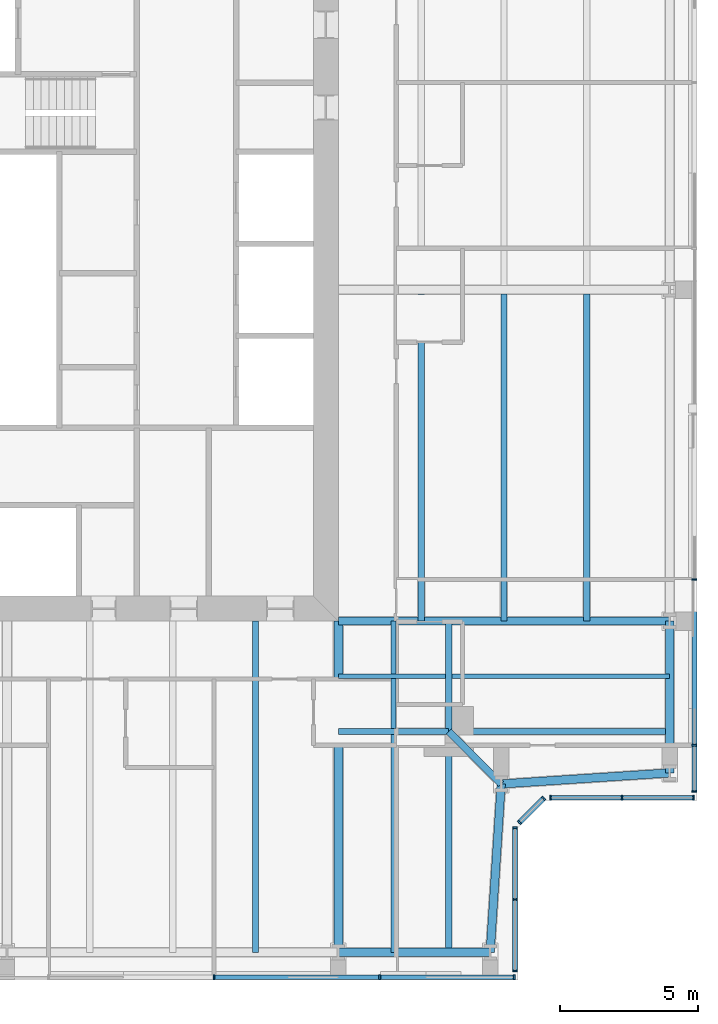
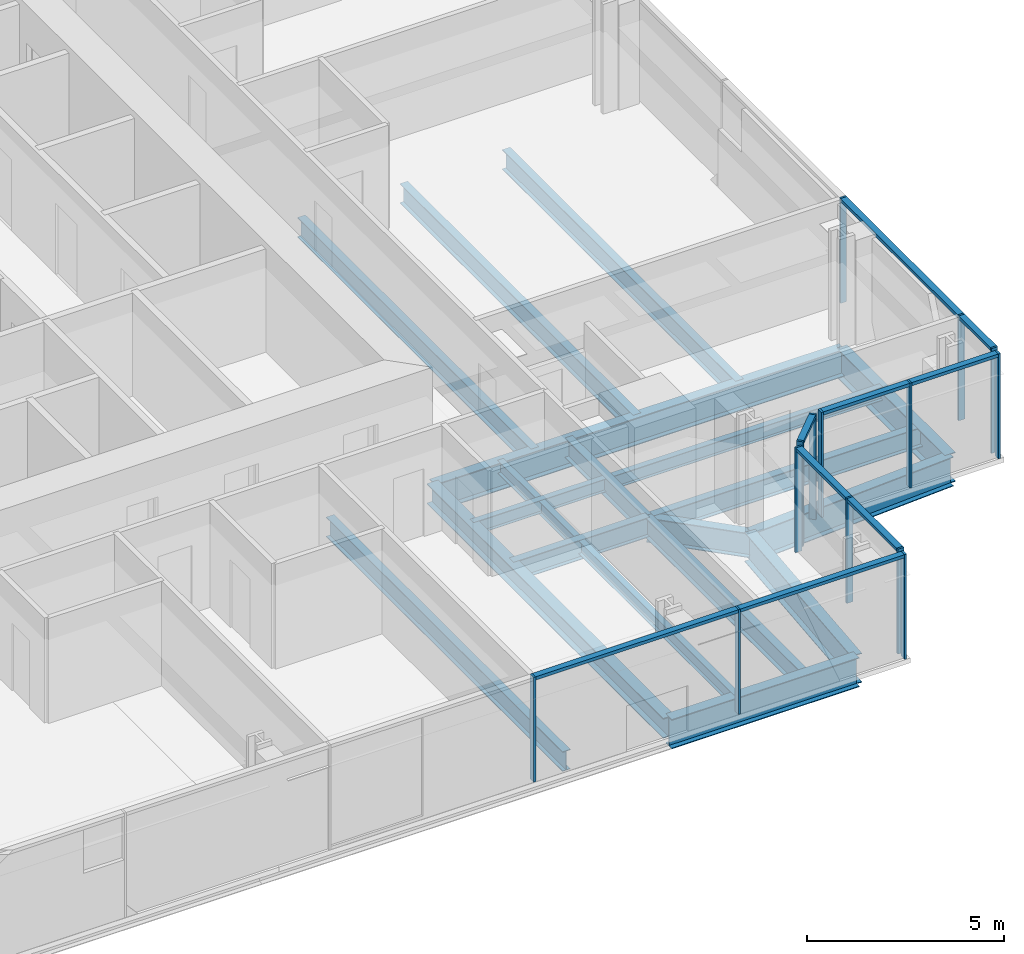
# One storey, part 5 of 18: 23 members, 20 beams, 5 elements without a shape of their own.
"""IFC4 building model written with IfcOpenShell, lengths in metres."""

import ifcopenshell
import ifcopenshell.guid

model = None  # the IFC model being written
_history = None  # IfcOwnerHistory: only IFC2X3 demands one
_inside = {}  # id of a spatial element -> (the spatial element, [elements in it])
_under = {}  # id of a project, library or spatial element -> (it, [spatial elements below it])
_declared = {}  # id of a project -> (the project, [libraries it declares])
_typed = {}  # id of a type object -> (the type object, [elements of that type])
_made_of = {}  # id of a material, layer set ... -> (it, [elements and type objects made of it])


def new_model(schema):
    """Start an empty IFC model of exactly this schema.

    Asked for "IFC4X3", IfcOpenShell would pick the latest addendum, in which some entities
    have other attributes; the version numbers below select the first issue.
    IFC2X3 requires an IfcOwnerHistory on every rooted entity: one is made here for all.
    """
    global model, _history
    if schema == "IFC4X3":
        model = ifcopenshell.file(schema_version=(4, 3, 0, 0))
    else:
        model = ifcopenshell.file(schema=schema)
    _inside.clear()
    _under.clear()
    _declared.clear()
    _typed.clear()
    _made_of.clear()
    _history = None
    if model.schema == "IFC2X3":
        org = make("IfcOrganization", Name="unknown")
        user = make(
            "IfcPersonAndOrganization",
            ThePerson=make("IfcPerson", FamilyName="unknown"),
            TheOrganization=org,
        )
        app = make(
            "IfcApplication",
            ApplicationDeveloper=org,
            Version="unknown",
            ApplicationFullName="unknown",
            ApplicationIdentifier="unknown",
        )
        _history = make(
            "IfcOwnerHistory",
            OwningUser=user,
            OwningApplication=app,
            ChangeAction="ADDED",
            CreationDate=0,
        )
    return model


def make(cls, **values):
    """One entity of the class cls with the attributes given. An attribute that is None is left unset."""
    return model.create_entity(
        cls, **{name: value for name, value in values.items() if value is not None}
    )


def rooted(cls, **values):
    """An entity with a GlobalId (a new one), such as an element, a storey or a relation."""
    return make(cls, GlobalId=ifcopenshell.guid.new(), OwnerHistory=_history, **values)


def si_unit(unit_type, name, prefix=None):
    """IfcSIUnit, for example si_unit("LENGTHUNIT", "METRE", prefix="MILLI")."""
    return make("IfcSIUnit", UnitType=unit_type, Prefix=prefix, Name=name)


def assignment(units):
    """IfcUnitAssignment: the units of a project."""
    return None if units is None else make("IfcUnitAssignment", Units=units)


def point(xyz):
    """IfcCartesianPoint."""
    return None if xyz is None else make("IfcCartesianPoint", Coordinates=xyz)


def direction(xyz):
    """IfcDirection."""
    return None if xyz is None else make("IfcDirection", DirectionRatios=xyz)


def frame(location, z_axis=None, x_axis=None):
    """IfcAxis2Placement3D, a coordinate frame: its origin and axes. An axis left out is left unset."""
    return make(
        "IfcAxis2Placement3D",
        Location=point(location),
        Axis=direction(z_axis),
        RefDirection=direction(x_axis),
    )


def frame_2d(location, x_axis=None):
    """IfcAxis2Placement2D, a coordinate frame in the plane: its origin and x axis."""
    return make(
        "IfcAxis2Placement2D", Location=point(location), RefDirection=direction(x_axis)
    )


def origin():
    """The frame at (0, 0, 0) with its axes left unset."""
    return frame((0.0, 0.0, 0.0))


def origin_2d():
    """The frame at (0, 0) in the plane with its x axis left unset."""
    return frame_2d((0.0, 0.0))


def place(relative_to, where):
    """IfcLocalPlacement: puts the frame where relative to a parent placement (None: the world)."""
    return make(
        "IfcLocalPlacement", PlacementRelTo=relative_to, RelativePlacement=where
    )


def context(
    kind, dimensions, precision=None, world=None, true_north=None, identifier=None
):
    """IfcGeometricRepresentationContext, for example the 3D "Model" context."""
    return make(
        "IfcGeometricRepresentationContext",
        ContextIdentifier=identifier,
        ContextType=kind,
        CoordinateSpaceDimension=dimensions,
        Precision=precision,
        WorldCoordinateSystem=world,
        TrueNorth=true_north,
    )


def subcontext(parent, identifier, kind, view, scale=None):
    """IfcGeometricRepresentationSubContext, for example "Body" below "Model"."""
    return make(
        "IfcGeometricRepresentationSubContext",
        ContextIdentifier=identifier,
        ContextType=kind,
        ParentContext=parent,
        TargetScale=scale,
        TargetView=view,
    )


def project(units=None, contexts=None):
    """IfcProject with its units and contexts."""
    return rooted(
        "IfcProject",
        Name="project",
        RepresentationContexts=contexts,
        UnitsInContext=assignment(units),
    )


def spatial(cls, under=None, at=None, **own):
    """A site, building, storey or space (cls), placed at a placement, below another one or the project."""
    s = rooted(cls, ObjectPlacement=at, **own)
    if under is not None:
        _under.setdefault(under.id(), (under, []))[1].append(s)
    return s


def profile(cls, at=None, kind="AREA", **sizes):
    """A parametric profile (cls). Its sizes go by their IFC names, for example OverallWidth=200.0."""
    return make(cls, ProfileType=kind, Position=at, **sizes)


def rectangle(**sizes):
    """IfcRectangleProfileDef."""
    return profile("IfcRectangleProfileDef", **sizes)


def i_section(**sizes):
    """IfcIShapeProfileDef."""
    return profile("IfcIShapeProfileDef", **sizes)


def extrude(swept, where, along, depth):
    """IfcExtrudedAreaSolid: the profile swept, set in the frame where, extruded along a direction by depth."""
    return make(
        "IfcExtrudedAreaSolid",
        SweptArea=swept,
        Position=where,
        ExtrudedDirection=direction(along),
        Depth=depth,
    )


def shape(context_of_items, identifier, shape_type, items):
    """IfcShapeRepresentation: the items that make up one representation, for example the "Body"."""
    return make(
        "IfcShapeRepresentation",
        ContextOfItems=context_of_items,
        RepresentationIdentifier=identifier,
        RepresentationType=shape_type,
        Items=items,
    )


def material(Name=None, Category=None):
    """IfcMaterial."""
    return make("IfcMaterial", Name=Name, Category=Category)


def material_profile(
    of_material, cross_section, Name=None, Category=None, Priority=None
):
    """IfcMaterialProfile: a cross section and its material."""
    return make(
        "IfcMaterialProfile",
        Name=Name,
        Material=of_material,
        Profile=cross_section,
        Priority=Priority,
        Category=Category,
    )


def profile_set(profiles, Name=None, composite=None):
    """IfcMaterialProfileSet."""
    return make(
        "IfcMaterialProfileSet",
        Name=Name,
        MaterialProfiles=profiles,
        CompositeProfile=composite,
    )


def made_of(thing, what):
    """Note that an element or type object is made of a material, layer set ...; save() writes the relation."""
    if what is not None:
        _made_of.setdefault(what.id(), (what, []))[1].append(thing)
    return thing


def type_object(cls, material=None, **own):
    """A type object (cls), such as IfcWallType, which elements share."""
    return made_of(rooted(cls, **own), material)


def element(
    cls,
    number,
    at=None,
    inside=None,
    cuts=None,
    type_object=None,
    material=None,
    context=None,
    identifier="Body",
    shape_type=None,
    held_by="IfcProductDefinitionShape",
    body=None,
    shapes=None,
    **own,
):
    """One element of the class cls, such as IfcWall. Its Tag is "e" and its number.

    at: its placement. inside: the storey or other place that contains it. cuts: it is an
    opening in that element (IfcRelVoidsElement). A single representation is given by context,
    identifier, shape_type and body (its items); several are given by shapes. held_by: the class
    of the entity that holds the representations. save() writes the other relations.
    """
    e = rooted(cls, Tag="e%d" % number, ObjectPlacement=at, **own)
    if body is not None:
        shapes = [shape(context, identifier, shape_type, body)]
    if shapes is not None:
        e.Representation = make(held_by, Representations=shapes)
    if inside is not None:
        _inside.setdefault(inside.id(), (inside, []))[1].append(e)
    if cuts is not None:
        rooted(
            "IfcRelVoidsElement", RelatingBuildingElement=cuts, RelatedOpeningElement=e
        )
    if type_object is not None:
        _typed.setdefault(type_object.id(), (type_object, []))[1].append(e)
    return made_of(e, material)


def aggregate(whole, parts):
    """IfcRelAggregates: a whole, such as a stair, and the parts it consists of."""
    return rooted("IfcRelAggregates", RelatingObject=whole, RelatedObjects=parts)


def save(model, path):
    """Write the relations noted so far, then the file.

    IfcRelAggregates (storeys below a building ...), IfcRelContainedInSpatialStructure (elements
    in a storey), IfcRelDefinesByType, IfcRelAssociatesMaterial and IfcRelDeclares: one each for
    every whole, place, type object, material and project.
    """
    for whole, parts in _under.values():
        aggregate(whole, parts)
    for where, things in _inside.values():
        rooted(
            "IfcRelContainedInSpatialStructure",
            RelatedElements=things,
            RelatingStructure=where,
        )
    for kind, things in _typed.values():
        rooted("IfcRelDefinesByType", RelatedObjects=things, RelatingType=kind)
    for what, things in _made_of.values():
        rooted("IfcRelAssociatesMaterial", RelatedObjects=things, RelatingMaterial=what)
    for by, libraries in _declared.values():
        rooted("IfcRelDeclares", RelatingContext=by, RelatedDefinitions=libraries)
    model.write(path)


model = new_model("IFC4")

# Units and contexts
model_context = context("Model", 3, precision=1e-05, world=origin(), true_north=direction((0.0, 1.0)))
body_context = subcontext(model_context, "Body", "Model", "MODEL_VIEW")
ifc_project = project(units=[si_unit("LENGTHUNIT", "METRE"), si_unit("AREAUNIT", "SQUARE_METRE"), si_unit("VOLUMEUNIT", "CUBIC_METRE"), si_unit("PLANEANGLEUNIT", "RADIAN"), si_unit("MASSUNIT", "GRAM", prefix="KILO")], contexts=[model_context])

# Site, building, storey
site_placement = place(None, origin())
site = spatial("IfcSite", under=ifc_project, at=site_placement, CompositionType="ELEMENT")
building_placement = place(site_placement, origin())
building = spatial("IfcBuilding", under=site, at=building_placement, Name="Fenwick Lantern Interchange", CompositionType="ELEMENT")
storey_placement = place(building_placement, frame((0.0, 0.0, 262.800048828125)))
storey = spatial("IfcBuildingStorey", under=building, at=storey_placement, Name="L62", CompositionType="ELEMENT", Elevation=262.800048828125)

# Beams
ifc_material_1 = material(Name="Steel ASTM A992 Grade 50", Category="steel")
ifc_material_profile_1 = material_profile(ifc_material_1, i_section(OverallWidth=0.3046875, OverallDepth=0.911865234375, WebThickness=0.015869140625, FlangeThickness=0.02392578125, at=origin_2d()), Name="W36X150")
ifc_profile_set_1 = profile_set([ifc_material_profile_1], Name="Steel ASTM A992 Grade 50")
beam_type_1 = type_object("IfcBeamType", Name="EDGE BEAM W36X150", PredefinedType="SPANDREL", material=ifc_profile_set_1)
beam_1_placement = place(storey_placement, frame((37.0, 1.0, -0.60595703125), z_axis=(1.0, 0.0, 0.0), x_axis=(0.0, 1.0, 0.0)))
element("IfcBeam", 1, at=beam_1_placement, inside=storey, type_object=beam_type_1, Name="L62/FR/S/EB4", PredefinedType="SPANDREL", context=body_context, shape_type="SweptSolid", body=[
    extrude(i_section(OverallWidth=0.3046875, OverallDepth=0.911865234375, WebThickness=0.015869140625, FlangeThickness=0.02392578125, at=origin_2d()), origin(), (0.0, 0.0, 1.0), 5.5),
])
for number, where, z_axis, x_axis, name in (
    (2, (42.5, 1.0, -0.60595703125), (0.065416293237, 0.997858060337, 0.0), (-0.997858060337, 0.065416293237, 0.0), "L62/FR/S/EBR1"),
    (3, (42.89990234375, 7.10009765625, -0.60595703125), (0.997858060337, 0.065416293237, 0.0), (-0.065416293237, 0.997858060337, 0.0), "L62/FR/S/EBR2"),
):
    element("IfcBeam", number, at=place(storey_placement, frame(where, z_axis=z_axis, x_axis=x_axis)), inside=storey, type_object=beam_type_1, Name=name, PredefinedType="SPANDREL", context=body_context, shape_type="SweptSolid", body=[
        extrude(i_section(OverallWidth=0.3046875, OverallDepth=0.911865234375, WebThickness=0.015869140625, FlangeThickness=0.02392578125, at=origin_2d()), origin(), (0.0, 0.0, 1.0), 6.11328125),
    ])
beam_2_placement = place(storey_placement, frame((49.0, 7.5, -0.60595703125), z_axis=(0.0, 1.0, 0.0), x_axis=(-1.0, 0.0, 0.0)))
element("IfcBeam", 4, at=beam_2_placement, inside=storey, type_object=beam_type_1, Name="L62/FR/E/EB1", PredefinedType="SPANDREL", context=body_context, shape_type="SweptSolid", body=[
    extrude(i_section(OverallWidth=0.3046875, OverallDepth=0.911865234375, WebThickness=0.015869140625, FlangeThickness=0.02392578125, at=origin_2d()), origin(), (0.0, 0.0, 1.0), 5.5),
])
ifc_material_profile_2 = material_profile(ifc_material_1, i_section(OverallWidth=0.22900390625, OverallDepth=0.612060546875, WebThickness=0.011962890625, FlangeThickness=0.01953125, at=origin_2d()), Name="W24X84")
ifc_profile_set_2 = profile_set([ifc_material_profile_2], Name="Steel ASTM A992 Grade 50")
beam_type_2 = type_object("IfcBeamType", Name="FLOOR BEAM W24X84", PredefinedType="BEAM", material=ifc_profile_set_2)
beam_3_placement = place(storey_placement, frame((34.0, 1.0, -0.4560546875), z_axis=(0.0, 1.0, 0.0), x_axis=(-1.0, 0.0, 0.0)))
element("IfcBeam", 5, at=beam_3_placement, inside=storey, type_object=beam_type_2, Name="L62/FR/S/R08", PredefinedType="BEAM", context=body_context, shape_type="SweptSolid", body=[
    extrude(i_section(OverallWidth=0.22900390625, OverallDepth=0.612060546875, WebThickness=0.011962890625, FlangeThickness=0.01953125, at=origin_2d()), origin(), (0.0, 0.0, 1.0), 12.0),
])
for number, where, z_axis, x_axis, name in (
    (6, (46.0, 13.0, -0.4560546875), (0.0, 1.0, 0.0), (-1.0, 0.0, 0.0), "L62/FR/E/B01"),
    (7, (43.0, 13.0, -0.4560546875), (0.0, 1.0, 0.0), (-1.0, 0.0, 0.0), "L62/FR/E/B02"),
    (8, (40.0, 13.0, -0.4560546875), (0.0, 1.0, 0.0), (-1.0, 0.0, 0.0), "L62/FR/E/B03"),
):
    element("IfcBeam", number, at=place(storey_placement, frame(where, z_axis=z_axis, x_axis=x_axis)), inside=storey, type_object=beam_type_2, Name=name, PredefinedType="BEAM", context=body_context, shape_type="SweptSolid", body=[
        extrude(i_section(OverallWidth=0.22900390625, OverallDepth=0.612060546875, WebThickness=0.011962890625, FlangeThickness=0.01953125, at=origin_2d()), origin(), (0.0, 0.0, 1.0), 11.844970703125),
    ])

# Curtain wall, members
ifc_material_2 = material(Name="Aluminium curtain wall frame", Category="aluminium")
curtain_wall_type = type_object("IfcCurtainWallType", Name="HOTEL CURTAIN WALL", PredefinedType="USERDEFINED", material=ifc_material_2)
curtain_wall_1_placement = place(storey_placement, origin())
curtain_wall_1 = element("IfcCurtainWall", 9, at=curtain_wall_1_placement, inside=storey, type_object=curtain_wall_type, Name="Hotel curtain wall 01", ObjectType="HOTEL CURTAIN WALL", PredefinedType="USERDEFINED")
ifc_material_3 = material(Name="Aluminium extrusion", Category="aluminium")
ifc_material_profile_3 = material_profile(ifc_material_3, rectangle(XDim=0.179931640625, YDim=0.06005859375, at=origin_2d()), Name="HOTEL CURTAIN WALL MULLION 60 X 180")
ifc_profile_set_3 = profile_set([ifc_material_profile_3], Name="Aluminium extrusion")
member_type_1 = type_object("IfcMemberType", Name="HOTEL CURTAIN WALL MULLION 60 X 180", PredefinedType="MULLION", material=ifc_profile_set_3)
member_1_placement = place(storey_placement, frame((32.5, 0.10009765625, 0.0), z_axis=(0.0, 0.0, 1.0), x_axis=(0.0, 1.0, 0.0)))
member_1 = element("IfcMember", 10, at=member_1_placement, type_object=member_type_1, Name="L62/CW/01/M05", PredefinedType="MULLION", context=body_context, shape_type="SweptSolid", body=[
    extrude(rectangle(XDim=0.179931640625, YDim=0.06005859375, at=origin_2d()), origin(), (0.0, 0.0, 1.0), 3.25),
])
member_2_placement = place(storey_placement, frame((38.5, 0.10009765625, 0.0), z_axis=(0.0, 0.0, 1.0), x_axis=(0.0, 1.0, 0.0)))
member_2 = element("IfcMember", 11, at=member_2_placement, type_object=member_type_1, Name="L62/CW/01/M06", PredefinedType="MULLION", context=body_context, shape_type="SweptSolid", body=[
    extrude(rectangle(XDim=0.179931640625, YDim=0.06005859375, at=origin_2d()), origin(), (0.0, 0.0, 1.0), 3.25),
])
member_3_placement = place(storey_placement, frame((43.3701171875, 0.10009765625, 0.0), z_axis=(0.0, 0.0, 1.0), x_axis=(0.0, 1.0, 0.0)))
member_3 = element("IfcMember", 12, at=member_3_placement, type_object=member_type_1, Name="L62/CW/01/M07", PredefinedType="MULLION", context=body_context, shape_type="SweptSolid", body=[
    extrude(rectangle(XDim=0.179931640625, YDim=0.06005859375, at=origin_2d()), origin(), (0.0, 0.0, 1.0), 3.25),
])

curtain_wall_2_placement = place(storey_placement, origin())
curtain_wall_2 = element("IfcCurtainWall", 13, at=curtain_wall_2_placement, inside=storey, type_object=curtain_wall_type, Name="Hotel curtain wall 02", ObjectType="HOTEL CURTAIN WALL", PredefinedType="USERDEFINED")
member_4_placement = place(storey_placement, frame((43.39990234375, 0.330078125, 0.0), z_axis=(0.0, 0.0, 1.0), x_axis=(-1.0, 0.0, 0.0)))
member_4 = element("IfcMember", 14, at=member_4_placement, type_object=member_type_1, Name="L62/CW/02/M00", PredefinedType="MULLION", context=body_context, shape_type="SweptSolid", body=[
    extrude(rectangle(XDim=0.179931640625, YDim=0.06005859375, at=origin_2d()), origin(), (0.0, 0.0, 1.0), 3.25),
])
member_5_placement = place(storey_placement, frame((43.39990234375, 2.920654296875, 0.0), z_axis=(0.0, 0.0, 1.0), x_axis=(-1.0, 0.0, 0.0)))
member_5 = element("IfcMember", 15, at=member_5_placement, type_object=member_type_1, Name="L62/CW/02/M01", PredefinedType="MULLION", context=body_context, shape_type="SweptSolid", body=[
    extrude(rectangle(XDim=0.179931640625, YDim=0.06005859375, at=origin_2d()), origin(), (0.0, 0.0, 1.0), 3.25),
])
member_6_placement = place(storey_placement, frame((43.39990234375, 5.511474609375, 0.0), z_axis=(0.0, 0.0, 1.0), x_axis=(-1.0, 0.0, 0.0)))
member_6 = element("IfcMember", 16, at=member_6_placement, type_object=member_type_1, Name="L62/CW/02/M02", PredefinedType="MULLION", context=body_context, shape_type="SweptSolid", body=[
    extrude(rectangle(XDim=0.179931640625, YDim=0.06005859375, at=origin_2d()), origin(), (0.0, 0.0, 1.0), 3.25),
])

curtain_wall_3_placement = place(storey_placement, origin())
curtain_wall_3 = element("IfcCurtainWall", 17, at=curtain_wall_3_placement, inside=storey, type_object=curtain_wall_type, Name="Hotel curtain wall 03", ObjectType="HOTEL CURTAIN WALL", PredefinedType="USERDEFINED")
member_7_placement = place(storey_placement, frame((43.562744140625, 5.7041015625, 0.0), z_axis=(0.0, 0.0, 1.0), x_axis=(-0.707106781187, 0.707106781187, 0.0)))
member_7 = element("IfcMember", 18, at=member_7_placement, type_object=member_type_1, Name="L62/CW/03/M00", PredefinedType="MULLION", context=body_context, shape_type="SweptSolid", body=[
    extrude(rectangle(XDim=0.179931640625, YDim=0.06005859375, at=origin_2d()), origin(), (0.0, 0.0, 1.0), 3.25),
])
member_8_placement = place(storey_placement, frame((44.437255859375, 6.578857421875, 0.0), z_axis=(0.0, 0.0, 1.0), x_axis=(-0.707106781187, 0.707106781187, 0.0)))
member_8 = element("IfcMember", 19, at=member_8_placement, type_object=member_type_1, Name="L62/CW/03/M01", PredefinedType="MULLION", context=body_context, shape_type="SweptSolid", body=[
    extrude(rectangle(XDim=0.179931640625, YDim=0.06005859375, at=origin_2d()), origin(), (0.0, 0.0, 1.0), 3.25),
])

curtain_wall_4_placement = place(storey_placement, origin())
curtain_wall_4 = element("IfcCurtainWall", 20, at=curtain_wall_4_placement, inside=storey, type_object=curtain_wall_type, Name="Hotel curtain wall 04", ObjectType="HOTEL CURTAIN WALL", PredefinedType="USERDEFINED")
member_9_placement = place(storey_placement, frame((44.6884765625, 6.60009765625, 0.0), z_axis=(0.0, 0.0, 1.0), x_axis=(0.0, 1.0, 0.0)))
member_9 = element("IfcMember", 21, at=member_9_placement, type_object=member_type_1, Name="L62/CW/04/M00", PredefinedType="MULLION", context=body_context, shape_type="SweptSolid", body=[
    extrude(rectangle(XDim=0.179931640625, YDim=0.06005859375, at=origin_2d()), origin(), (0.0, 0.0, 1.0), 3.25),
])
member_10_placement = place(storey_placement, frame((47.279296875, 6.60009765625, 0.0), z_axis=(0.0, 0.0, 1.0), x_axis=(0.0, 1.0, 0.0)))
member_10 = element("IfcMember", 22, at=member_10_placement, type_object=member_type_1, Name="L62/CW/04/M01", PredefinedType="MULLION", context=body_context, shape_type="SweptSolid", body=[
    extrude(rectangle(XDim=0.179931640625, YDim=0.06005859375, at=origin_2d()), origin(), (0.0, 0.0, 1.0), 3.25),
])
member_11_placement = place(storey_placement, frame((49.8701171875, 6.60009765625, 0.0), z_axis=(0.0, 0.0, 1.0), x_axis=(0.0, 1.0, 0.0)))
member_11 = element("IfcMember", 23, at=member_11_placement, type_object=member_type_1, Name="L62/CW/04/M02", PredefinedType="MULLION", context=body_context, shape_type="SweptSolid", body=[
    extrude(rectangle(XDim=0.179931640625, YDim=0.06005859375, at=origin_2d()), origin(), (0.0, 0.0, 1.0), 3.25),
])

curtain_wall_5_placement = place(storey_placement, origin())
curtain_wall_5 = element("IfcCurtainWall", 24, at=curtain_wall_5_placement, inside=storey, type_object=curtain_wall_type, Name="Hotel curtain wall 05", ObjectType="HOTEL CURTAIN WALL", PredefinedType="USERDEFINED")
member_12_placement = place(storey_placement, frame((49.89990234375, 6.830078125, 0.0), z_axis=(0.0, 0.0, 1.0), x_axis=(-1.0, 0.0, 0.0)))
member_12 = element("IfcMember", 25, at=member_12_placement, type_object=member_type_1, Name="L62/CW/05/M00", PredefinedType="MULLION", context=body_context, shape_type="SweptSolid", body=[
    extrude(rectangle(XDim=0.179931640625, YDim=0.06005859375, at=origin_2d()), origin(), (0.0, 0.0, 1.0), 3.25),
])
member_13_placement = place(storey_placement, frame((49.89990234375, 8.5, 0.0), z_axis=(0.0, 0.0, 1.0), x_axis=(-1.0, 0.0, 0.0)))
member_13 = element("IfcMember", 26, at=member_13_placement, type_object=member_type_1, Name="L62/CW/05/M01", PredefinedType="MULLION", context=body_context, shape_type="SweptSolid", body=[
    extrude(rectangle(XDim=0.179931640625, YDim=0.06005859375, at=origin_2d()), origin(), (0.0, 0.0, 1.0), 3.25),
])
member_14_placement = place(storey_placement, frame((49.89990234375, 14.5, 0.0), z_axis=(0.0, 0.0, 1.0), x_axis=(-1.0, 0.0, 0.0)))
member_14 = element("IfcMember", 27, at=member_14_placement, type_object=member_type_1, Name="L62/CW/05/M02", PredefinedType="MULLION", context=body_context, shape_type="SweptSolid", body=[
    extrude(rectangle(XDim=0.179931640625, YDim=0.06005859375, at=origin_2d()), origin(), (0.0, 0.0, 1.0), 3.25),
])

# Member
ifc_material_profile_4 = material_profile(ifc_material_3, rectangle(XDim=0.179931640625, YDim=0.10009765625, at=origin_2d()), Name="HOTEL CURTAIN WALL TRANSOM 100 X 180")
ifc_profile_set_4 = profile_set([ifc_material_profile_4], Name="Aluminium extrusion")
member_type_2 = type_object("IfcMemberType", Name="HOTEL CURTAIN WALL TRANSOM 100 X 180", PredefinedType="MULLION", material=ifc_profile_set_4)
member_15_placement = place(storey_placement, frame((32.530029296875, 0.10009765625, 3.199951171875), z_axis=(1.0, 0.0, 0.0), x_axis=(0.0, 1.0, 0.0)))
member_15 = element("IfcMember", 28, at=member_15_placement, type_object=member_type_2, Name="L62/CW/01/T05", PredefinedType="MULLION", context=body_context, shape_type="SweptSolid", body=[
    extrude(rectangle(XDim=0.179931640625, YDim=0.10009765625, at=origin_2d()), origin(), (0.0, 0.0, 1.0), 5.93994140625),
])

member_16_placement = place(storey_placement, frame((38.530029296875, 0.10009765625, 3.199951171875), z_axis=(1.0, 0.0, 0.0), x_axis=(0.0, 1.0, 0.0)))
member_16 = element("IfcMember", 29, at=member_16_placement, type_object=member_type_2, Name="L62/CW/01/T06", PredefinedType="MULLION", context=body_context, shape_type="SweptSolid", body=[
    extrude(rectangle(XDim=0.179931640625, YDim=0.10009765625, at=origin_2d()), origin(), (0.0, 0.0, 1.0), 4.81005859375),
])

aggregate(curtain_wall_1, [member_1, member_2, member_3, member_15, member_16])

member_17_placement = place(storey_placement, frame((43.39990234375, 0.360107421875, 3.199951171875), z_axis=(0.0, 1.0, 0.0), x_axis=(-1.0, 0.0, 0.0)))
member_17 = element("IfcMember", 30, at=member_17_placement, type_object=member_type_2, Name="L62/CW/02/T00", PredefinedType="MULLION", context=body_context, shape_type="SweptSolid", body=[
    extrude(rectangle(XDim=0.179931640625, YDim=0.10009765625, at=origin_2d()), origin(), (0.0, 0.0, 1.0), 2.530517578125),
])

member_18_placement = place(storey_placement, frame((43.39990234375, 2.95068359375, 3.199951171875), z_axis=(0.0, 1.0, 0.0), x_axis=(-1.0, 0.0, 0.0)))
member_18 = element("IfcMember", 31, at=member_18_placement, type_object=member_type_2, Name="L62/CW/02/T01", PredefinedType="MULLION", context=body_context, shape_type="SweptSolid", body=[
    extrude(rectangle(XDim=0.179931640625, YDim=0.10009765625, at=origin_2d()), origin(), (0.0, 0.0, 1.0), 2.53076171875),
])

aggregate(curtain_wall_2, [member_4, member_5, member_6, member_17, member_18])

member_19_placement = place(storey_placement, frame((43.583740234375, 5.725341796875, 3.199951171875), z_axis=(0.707210470133, 0.707003077033, 0.0), x_axis=(-0.707003077033, 0.707210470133, 0.0)))
member_19 = element("IfcMember", 32, at=member_19_placement, type_object=member_type_2, Name="L62/CW/03/T00", PredefinedType="MULLION", context=body_context, shape_type="SweptSolid", body=[
    extrude(rectangle(XDim=0.179931640625, YDim=0.10009765625, at=origin_2d()), origin(), (0.0, 0.0, 1.0), 1.17724609375),
])

aggregate(curtain_wall_3, [member_7, member_8, member_19])

member_20_placement = place(storey_placement, frame((44.718505859375, 6.60009765625, 3.199951171875), z_axis=(1.0, 0.0, 0.0), x_axis=(0.0, 1.0, 0.0)))
member_20 = element("IfcMember", 33, at=member_20_placement, type_object=member_type_2, Name="L62/CW/04/T00", PredefinedType="MULLION", context=body_context, shape_type="SweptSolid", body=[
    extrude(rectangle(XDim=0.179931640625, YDim=0.10009765625, at=origin_2d()), origin(), (0.0, 0.0, 1.0), 2.53076171875),
])

member_21_placement = place(storey_placement, frame((47.309326171875, 6.60009765625, 3.199951171875), z_axis=(1.0, 0.0, 0.0), x_axis=(0.0, 1.0, 0.0)))
member_21 = element("IfcMember", 34, at=member_21_placement, type_object=member_type_2, Name="L62/CW/04/T01", PredefinedType="MULLION", context=body_context, shape_type="SweptSolid", body=[
    extrude(rectangle(XDim=0.179931640625, YDim=0.10009765625, at=origin_2d()), origin(), (0.0, 0.0, 1.0), 2.53076171875),
])

aggregate(curtain_wall_4, [member_9, member_10, member_11, member_20, member_21])

member_22_placement = place(storey_placement, frame((49.89990234375, 6.860107421875, 3.199951171875), z_axis=(0.0, 1.0, 0.0), x_axis=(-1.0, 0.0, 0.0)))
member_22 = element("IfcMember", 35, at=member_22_placement, type_object=member_type_2, Name="L62/CW/05/T00", PredefinedType="MULLION", context=body_context, shape_type="SweptSolid", body=[
    extrude(rectangle(XDim=0.179931640625, YDim=0.10009765625, at=origin_2d()), origin(), (0.0, 0.0, 1.0), 1.60986328125),
])

member_23_placement = place(storey_placement, frame((49.89990234375, 8.530029296875, 3.199951171875), z_axis=(0.0, 1.0, 0.0), x_axis=(-1.0, 0.0, 0.0)))
member_23 = element("IfcMember", 36, at=member_23_placement, type_object=member_type_2, Name="L62/CW/05/T01", PredefinedType="MULLION", context=body_context, shape_type="SweptSolid", body=[
    extrude(rectangle(XDim=0.179931640625, YDim=0.10009765625, at=origin_2d()), origin(), (0.0, 0.0, 1.0), 5.93994140625),
])

aggregate(curtain_wall_5, [member_12, member_13, member_14, member_22, member_23])

# Beams
ifc_material_profile_5 = material_profile(ifc_material_1, i_section(OverallWidth=0.177734375, OverallDepth=0.406494140625, WebThickness=0.0078125, FlangeThickness=0.012939453125, at=origin_2d()), Name="W16X40")
ifc_profile_set_5 = profile_set([ifc_material_profile_5], Name="Steel ASTM A992 Grade 50")
beam_type_3 = type_object("IfcBeamType", Name="INFILL BEAM W16X40", PredefinedType="JOIST", material=ifc_profile_set_5)
beam_4_placement = place(storey_placement, frame((49.0, 11.0, -0.353271484375), z_axis=(-1.0, 0.0, 0.0), x_axis=(0.0, -1.0, 0.0)))
element("IfcBeam", 37, at=beam_4_placement, inside=storey, type_object=beam_type_3, Name="L62/FR/E/J1", PredefinedType="JOIST", context=body_context, shape_type="SweptSolid", body=[
    extrude(i_section(OverallWidth=0.177734375, OverallDepth=0.406494140625, WebThickness=0.0078125, FlangeThickness=0.012939453125, at=origin_2d()), origin(), (0.0, 0.0, 1.0), 7.885498046875),
])
beam_5_placement = place(storey_placement, frame((40.885498046875, 11.0, -0.353271484375), z_axis=(-1.0, 0.0, 0.0), x_axis=(0.0, -1.0, 0.0)))
element("IfcBeam", 38, at=beam_5_placement, inside=storey, type_object=beam_type_3, Name="L62/FR/E/J2", PredefinedType="JOIST", context=body_context, shape_type="SweptSolid", body=[
    extrude(i_section(OverallWidth=0.177734375, OverallDepth=0.406494140625, WebThickness=0.0078125, FlangeThickness=0.012939453125, at=origin_2d()), origin(), (0.0, 0.0, 1.0), 3.885498046875),
])
beam_6_placement = place(storey_placement, frame((39.0, 1.0, -0.353271484375), z_axis=(0.0, 1.0, 0.0), x_axis=(-1.0, 0.0, 0.0)))
element("IfcBeam", 39, at=beam_6_placement, inside=storey, type_object=beam_type_3, Name="L62/FR/E/J3", PredefinedType="JOIST", context=body_context, shape_type="SweptSolid", body=[
    extrude(i_section(OverallWidth=0.177734375, OverallDepth=0.406494140625, WebThickness=0.0078125, FlangeThickness=0.012939453125, at=origin_2d()), origin(), (0.0, 0.0, 1.0), 7.885498046875),
])
beam_7_placement = place(storey_placement, frame((39.0, 9.114501953125, -0.353271484375), z_axis=(0.0, 1.0, 0.0), x_axis=(-1.0, 0.0, 0.0)))
element("IfcBeam", 40, at=beam_7_placement, inside=storey, type_object=beam_type_3, Name="L62/FR/E/J4", PredefinedType="JOIST", context=body_context, shape_type="SweptSolid", body=[
    extrude(i_section(OverallWidth=0.177734375, OverallDepth=0.406494140625, WebThickness=0.0078125, FlangeThickness=0.012939453125, at=origin_2d()), origin(), (0.0, 0.0, 1.0), 1.796630859375),
])
beam_8_placement = place(storey_placement, frame((39.0, 11.0888671875, -0.353271484375), z_axis=(0.0, 1.0, 0.0), x_axis=(-1.0, 0.0, 0.0)))
element("IfcBeam", 41, at=beam_8_placement, inside=storey, type_object=beam_type_3, Name="L62/FR/E/J5", PredefinedType="JOIST", context=body_context, shape_type="SweptSolid", body=[
    extrude(i_section(OverallWidth=0.177734375, OverallDepth=0.406494140625, WebThickness=0.0078125, FlangeThickness=0.012939453125, at=origin_2d()), origin(), (0.0, 0.0, 1.0), 1.9111328125),
])
ifc_material_profile_6 = material_profile(ifc_material_1, i_section(OverallWidth=0.22900390625, OverallDepth=0.612060546875, WebThickness=0.011962890625, FlangeThickness=0.01953125, at=origin_2d()), Name="W24X84")
ifc_profile_set_6 = profile_set([ifc_material_profile_6], Name="Steel ASTM A992 Grade 50")
beam_type_4 = type_object("IfcBeamType", Name="MEGA COLUMN BEAM W24X84", PredefinedType="BEAM", material=ifc_profile_set_6)
for number, where, z_axis, x_axis, name in (
    (42, (41.0, 9.0, -0.4560546875), (1.0, 0.0, 0.0), (0.0, 1.0, 0.0), "L62/FR/E/MB1"),
    (43, (41.0, 9.0, -0.4560546875), (0.0, -1.0, 0.0), (1.0, 0.0, 0.0), "L62/FR/E/MB2"),
):
    element("IfcBeam", number, at=place(storey_placement, frame(where, z_axis=z_axis, x_axis=x_axis)), inside=storey, type_object=beam_type_4, Name=name, PredefinedType="BEAM", context=body_context, shape_type="SweptSolid", body=[
        extrude(i_section(OverallWidth=0.22900390625, OverallDepth=0.612060546875, WebThickness=0.011962890625, FlangeThickness=0.01953125, at=origin_2d()), origin(), (0.0, 0.0, 1.0), 8.0),
    ])
for number, where, z_axis, x_axis, name in (
    (44, (41.0, 9.0, -0.4560546875), (0.0, 1.0, 0.0), (-1.0, 0.0, 0.0), "L62/FR/E/MB3"),
    (45, (41.0, 9.0, -0.4560546875), (-1.0, 0.0, 0.0), (0.0, -1.0, 0.0), "L62/FR/E/MB4"),
):
    element("IfcBeam", number, at=place(storey_placement, frame(where, z_axis=z_axis, x_axis=x_axis)), inside=storey, type_object=beam_type_4, Name=name, PredefinedType="BEAM", context=body_context, shape_type="SweptSolid", body=[
        extrude(i_section(OverallWidth=0.22900390625, OverallDepth=0.612060546875, WebThickness=0.011962890625, FlangeThickness=0.01953125, at=origin_2d()), origin(), (0.0, 0.0, 1.0), 4.0),
    ])
ifc_material_profile_7 = material_profile(ifc_material_1, i_section(OverallWidth=0.32763671875, OverallDepth=0.622314453125, WebThickness=0.015380859375, FlangeThickness=0.0244140625, at=origin_2d()), Name="W24X131")
ifc_profile_set_7 = profile_set([ifc_material_profile_7], Name="Steel ASTM A992 Grade 50")
beam_type_5 = type_object("IfcBeamType", Name="MOMENT-CONNECTED GIRDER W24X131", PredefinedType="BEAM", material=ifc_profile_set_7)
beam_9_placement = place(storey_placement, frame((37.0, 1.0, -0.461181640625), z_axis=(0.0, 1.0, 0.0), x_axis=(-1.0, 0.0, 0.0)))
element("IfcBeam", 46, at=beam_9_placement, inside=storey, type_object=beam_type_5, Name="L62/FR/S/R09", PredefinedType="BEAM", context=body_context, shape_type="SweptSolid", body=[
    extrude(i_section(OverallWidth=0.32763671875, OverallDepth=0.622314453125, WebThickness=0.015380859375, FlangeThickness=0.0244140625, at=origin_2d()), origin(), (0.0, 0.0, 1.0), 12.0),
])
ifc_material_profile_8 = material_profile(ifc_material_1, i_section(OverallWidth=0.2919921875, OverallDepth=0.845703125, WebThickness=0.015380859375, FlangeThickness=0.0244140625, at=origin_2d()), Name="W33X141")
ifc_profile_set_8 = profile_set([ifc_material_profile_8], Name="Steel ASTM A992 Grade 50")
beam_type_6 = type_object("IfcBeamType", Name="MOMENT-CONNECTED GIRDER W33X141", PredefinedType="BEAM", material=ifc_profile_set_8)
beam_10_placement = place(storey_placement, frame((49.0, 13.0, -0.572998046875), z_axis=(-1.0, 0.0, 0.0), x_axis=(0.0, -1.0, 0.0)))
element("IfcBeam", 47, at=beam_10_placement, inside=storey, type_object=beam_type_6, Name="L62/FR/E/R01", PredefinedType="BEAM", context=body_context, shape_type="SweptSolid", body=[
    extrude(i_section(OverallWidth=0.2919921875, OverallDepth=0.845703125, WebThickness=0.015380859375, FlangeThickness=0.0244140625, at=origin_2d()), origin(), (0.0, 0.0, 1.0), 12.0),
])
ifc_material_profile_9 = material_profile(ifc_material_1, i_section(OverallWidth=0.2666015625, OverallDepth=0.7568359375, WebThickness=0.013916015625, FlangeThickness=0.019287109375, at=origin_2d()), Name="W30X108")
ifc_profile_set_9 = profile_set([ifc_material_profile_9], Name="Steel ASTM A992 Grade 50")
beam_type_7 = type_object("IfcBeamType", Name="NOTCH BEAM W30X108", PredefinedType="BEAM", material=ifc_profile_set_9)
beam_11_placement = place(storey_placement, frame((41.0, 9.0, -0.528564453125), z_axis=(0.707106781187, -0.707106781187, 0.0), x_axis=(0.707106781187, 0.707106781187, 0.0)))
element("IfcBeam", 48, at=beam_11_placement, inside=storey, type_object=beam_type_7, Name="L62/FR/E/TG", PredefinedType="BEAM", context=body_context, shape_type="SweptSolid", body=[
    extrude(i_section(OverallWidth=0.2666015625, OverallDepth=0.7568359375, WebThickness=0.013916015625, FlangeThickness=0.019287109375, at=origin_2d()), origin(), (0.0, 0.0, 1.0), 2.686767578125),
])

save(model, "model.ifc")
